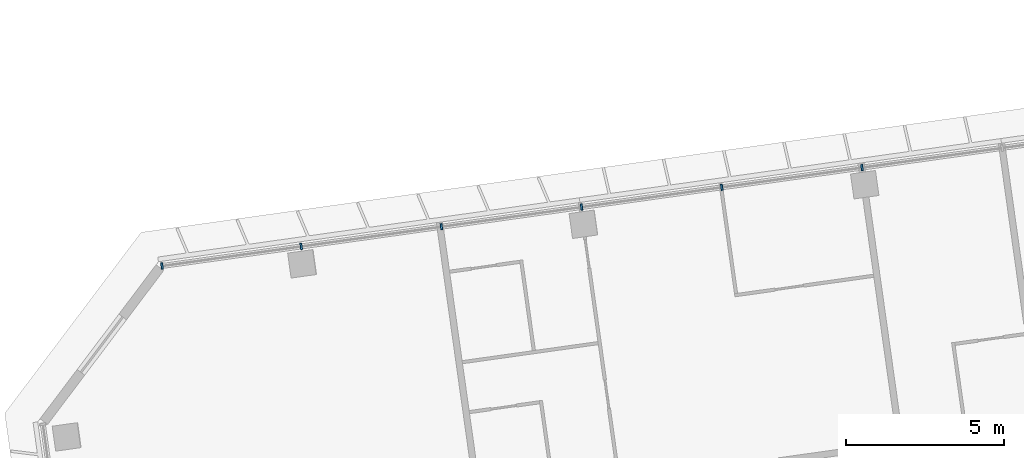
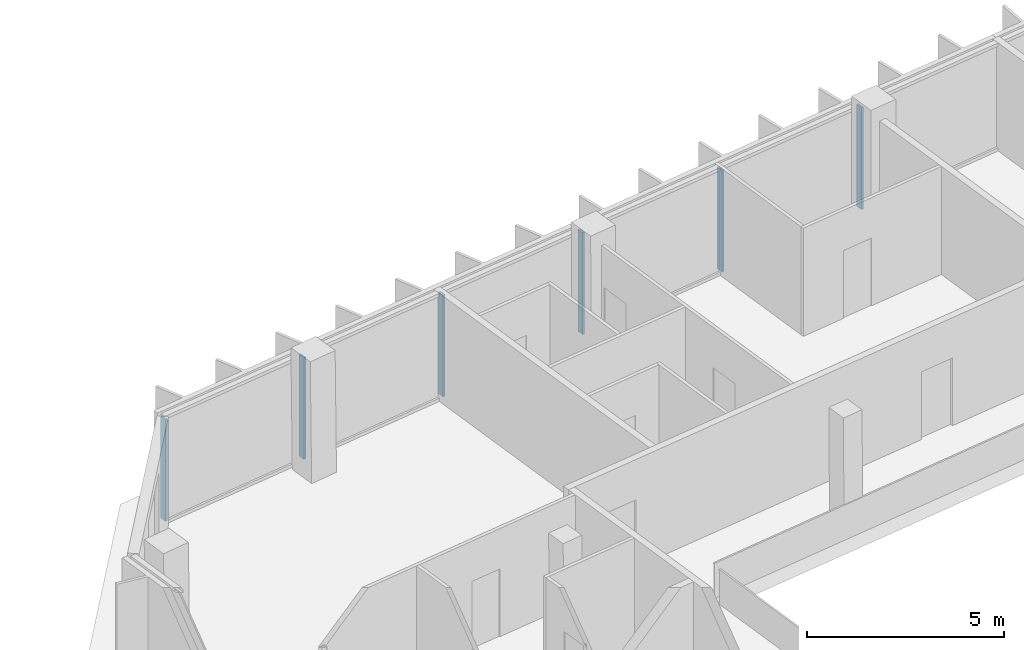
# One storey, part 13 of 31: 6 members, 1 element without a shape of its own.
"""IFC4 building model written with IfcOpenShell, lengths in metres."""

from ifc_helpers import new_model, si_unit, direction, frame, origin, origin_2d, place, context, subcontext, project, spatial, rectangle, extrude, material, material_profile, profile_set, type_object, element, aggregate, save


model = new_model("IFC4")

# Units and contexts
model_context = context("Model", 3, precision=1e-05, world=origin(), true_north=direction((0.0, 1.0)))
body_context = subcontext(model_context, "Body", "Model", "MODEL_VIEW")
ifc_project = project(units=[si_unit("LENGTHUNIT", "METRE"), si_unit("AREAUNIT", "SQUARE_METRE"), si_unit("VOLUMEUNIT", "CUBIC_METRE"), si_unit("PLANEANGLEUNIT", "RADIAN"), si_unit("MASSUNIT", "GRAM", prefix="KILO")], contexts=[model_context])

# Site, building, storey
site_placement = place(None, origin())
site = spatial("IfcSite", under=ifc_project, at=site_placement, CompositionType="ELEMENT")
building_placement = place(site_placement, origin())
building = spatial("IfcBuilding", under=site, at=building_placement, Name="Mirante Cascada Hotel Towers", CompositionType="ELEMENT")
storey_placement = place(building_placement, frame((0.0, 0.0, 157.4)))
storey = spatial("IfcBuildingStorey", under=building, at=storey_placement, Name="L36", CompositionType="ELEMENT", Elevation=157.4)

# Curtain wall, members
ifc_material_1 = material(Name="Aluminium mullion and transom frame with clear laminated glass", Category="aluminium")
curtain_wall_type = type_object("IfcCurtainWallType", Name="Ribbon curtain wall ECW1", PredefinedType="NOTDEFINED", material=ifc_material_1)
curtain_wall_placement = place(storey_placement, origin())
curtain_wall = element("IfcCurtainWall", 1, at=curtain_wall_placement, inside=storey, type_object=curtain_wall_type, Name="Front ribbon wall T2 L36", PredefinedType="NOTDEFINED")
ifc_material_2 = material(Name="Anodised aluminium extrusion", Category="aluminium")
ifc_material_profile = material_profile(ifc_material_2, rectangle(XDim=0.2, YDim=0.065, at=origin_2d()), Name="ECW1 MULLION 65x200")
ifc_profile_set = profile_set([ifc_material_profile], Name="Anodised aluminium extrusion")
member_type = type_object("IfcMemberType", Name="ECW1 mullion 65x200", PredefinedType="MULLION", material=ifc_profile_set)
member_1_placement = place(storey_placement, frame((54.1034, 20.4228, 0.1), z_axis=(0.0, 0.0, 1.0), x_axis=(0.1391731, -0.9902681, 0.0)))
member_1 = element("IfcMember", 2, at=member_1_placement, type_object=member_type, Name="ECW1 mullion 8", PredefinedType="MULLION", context=body_context, shape_type="SweptSolid", body=[
    extrude(rectangle(XDim=0.2, YDim=0.065, at=origin_2d()), origin(), (0.0, 0.0, 1.0), 3.15),
])
member_2_placement = place(storey_placement, frame((49.6545, 19.7975, 0.1), z_axis=(0.0, 0.0, 1.0), x_axis=(0.1391731, -0.9902681, 0.0)))
member_2 = element("IfcMember", 3, at=member_2_placement, type_object=member_type, Name="ECW1 mullion 9", PredefinedType="MULLION", context=body_context, shape_type="SweptSolid", body=[
    extrude(rectangle(XDim=0.2, YDim=0.065, at=origin_2d()), origin(), (0.0, 0.0, 1.0), 3.15),
])
member_3_placement = place(storey_placement, frame((45.2056, 19.1723, 0.1), z_axis=(0.0, 0.0, 1.0), x_axis=(0.1391731, -0.9902681, 0.0)))
member_3 = element("IfcMember", 4, at=member_3_placement, type_object=member_type, Name="ECW1 mullion 10", PredefinedType="MULLION", context=body_context, shape_type="SweptSolid", body=[
    extrude(rectangle(XDim=0.2, YDim=0.065, at=origin_2d()), origin(), (0.0, 0.0, 1.0), 3.15),
])
member_4_placement = place(storey_placement, frame((40.7567, 18.547, 0.1), z_axis=(0.0, 0.0, 1.0), x_axis=(0.1391731, -0.9902681, 0.0)))
member_4 = element("IfcMember", 5, at=member_4_placement, type_object=member_type, Name="ECW1 mullion 11", PredefinedType="MULLION", context=body_context, shape_type="SweptSolid", body=[
    extrude(rectangle(XDim=0.2, YDim=0.065, at=origin_2d()), origin(), (0.0, 0.0, 1.0), 3.15),
])
member_5_placement = place(storey_placement, frame((36.3078, 17.9218, 0.1), z_axis=(0.0, 0.0, 1.0), x_axis=(0.1391731, -0.9902681, 0.0)))
member_5 = element("IfcMember", 6, at=member_5_placement, type_object=member_type, Name="ECW1 mullion 12", PredefinedType="MULLION", context=body_context, shape_type="SweptSolid", body=[
    extrude(rectangle(XDim=0.2, YDim=0.065, at=origin_2d()), origin(), (0.0, 0.0, 1.0), 3.15),
])
member_6_placement = place(storey_placement, frame((31.8911, 17.301, 0.1), z_axis=(0.0, 0.0, 1.0), x_axis=(0.1391731, -0.9902681, 0.0)))
member_6 = element("IfcMember", 7, at=member_6_placement, type_object=member_type, Name="ECW1 mullion 13", PredefinedType="MULLION", context=body_context, shape_type="SweptSolid", body=[
    extrude(rectangle(XDim=0.2, YDim=0.065, at=origin_2d()), origin(), (0.0, 0.0, 1.0), 3.15),
])
aggregate(curtain_wall, [member_1, member_2, member_3, member_4, member_5, member_6])

save(model, "model.ifc")
